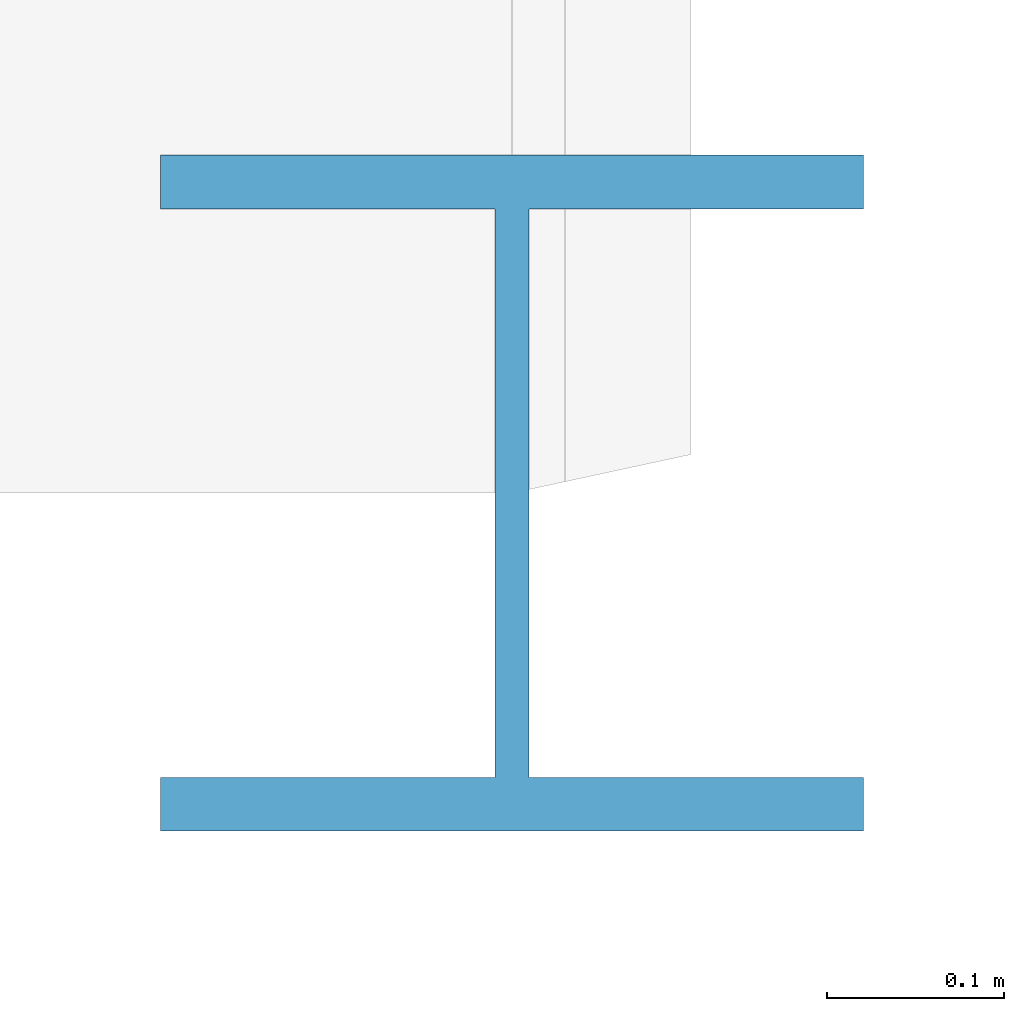
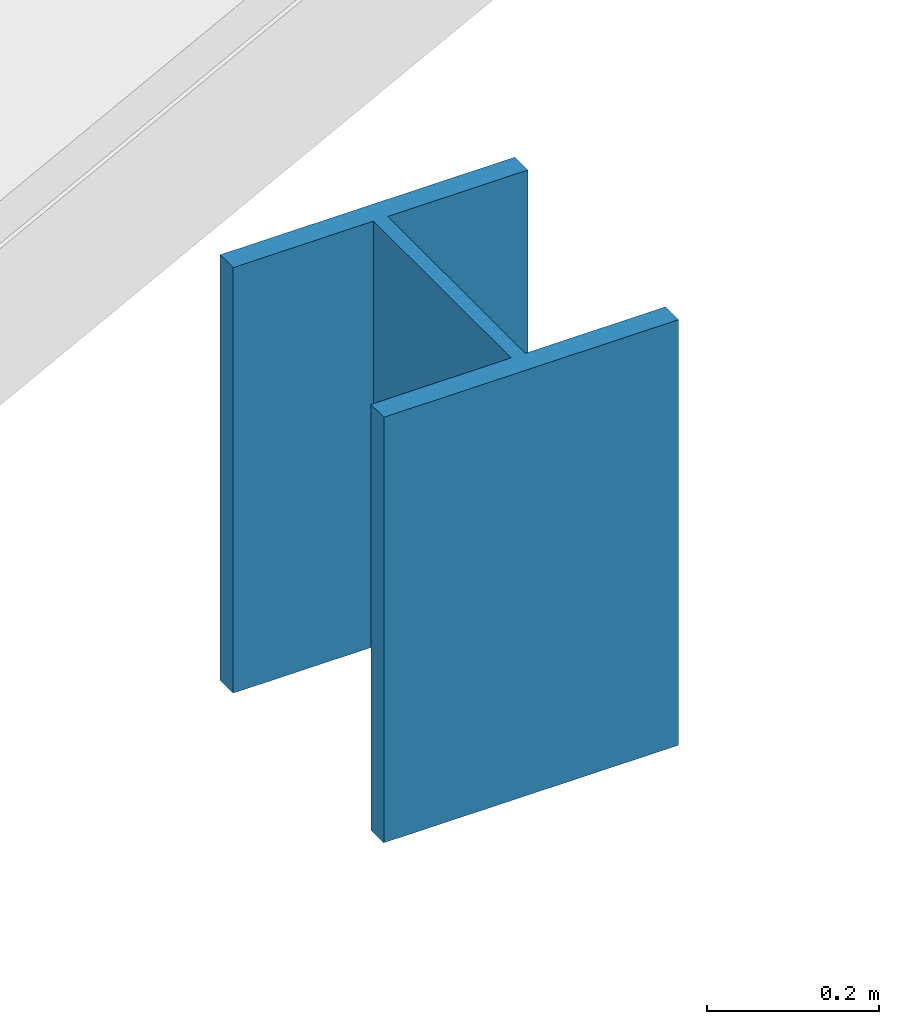
# One storey, part 11 of 64: 1 column.
"""IFC4 building model written with IfcOpenShell, lengths in metres."""

from ifc_helpers import new_model, si_unit, direction, frame, origin, origin_2d, place, context, subcontext, project, spatial, i_section, extrude, material, material_profile, profile_set, type_object, element, save


model = new_model("IFC4")

# Units and contexts
model_context = context("Model", 3, precision=1e-05, world=origin(), true_north=direction((0.0, 1.0)))
body_context = subcontext(model_context, "Body", "Model", "MODEL_VIEW")
ifc_project = project(units=[si_unit("LENGTHUNIT", "METRE"), si_unit("AREAUNIT", "SQUARE_METRE"), si_unit("VOLUMEUNIT", "CUBIC_METRE"), si_unit("PLANEANGLEUNIT", "RADIAN"), si_unit("MASSUNIT", "GRAM", prefix="KILO")], contexts=[model_context])

# Site, building, storey
site_placement = place(None, origin())
site = spatial("IfcSite", under=ifc_project, at=site_placement, CompositionType="ELEMENT")
building_placement = place(site_placement, origin())
building = spatial("IfcBuilding", under=site, at=building_placement, Name="Vervanel Yard Central Library", CompositionType="ELEMENT")
storey_placement = place(building_placement, frame((0.0, 0.0, 8.93994140625)))
storey = spatial("IfcBuildingStorey", under=building, at=storey_placement, Name="L02", CompositionType="ELEMENT", Elevation=8.93994140625)

# Column
ifc_material = material(Name="Steel ASTM A992 Grade 50", Category="steel")
ifc_material_profile = material_profile(ifc_material, i_section(OverallWidth=0.396240234375, OverallDepth=0.381103515625, WebThickness=0.01904296875, FlangeThickness=0.0302734375, at=origin_2d()), Name="W14X159", Category="steel")
ifc_profile_set = profile_set([ifc_material_profile], Name="Steel ASTM A992 Grade 50")
column_type = type_object("IfcColumnType", Name="Steel Column W14X159", PredefinedType="COLUMN", material=ifc_profile_set)
column_placement = place(storey_placement, frame((99.0, 43.199951171875, 0.0), z_axis=(0.0, 0.0, 1.0), x_axis=(1.0, 0.0, 0.0)))
element("IfcColumn", 1, at=column_placement, inside=storey, type_object=column_type, Name="L02 Shell Flank Support Post S X=99.0", PredefinedType="COLUMN", context=body_context, shape_type="SweptSolid", body=[
    extrude(i_section(OverallWidth=0.396240234375, OverallDepth=0.381103515625, WebThickness=0.01904296875, FlangeThickness=0.0302734375, at=origin_2d()), origin(), (0.0, 0.0, 1.0), 0.60498046875),
])

save(model, "model.ifc")
